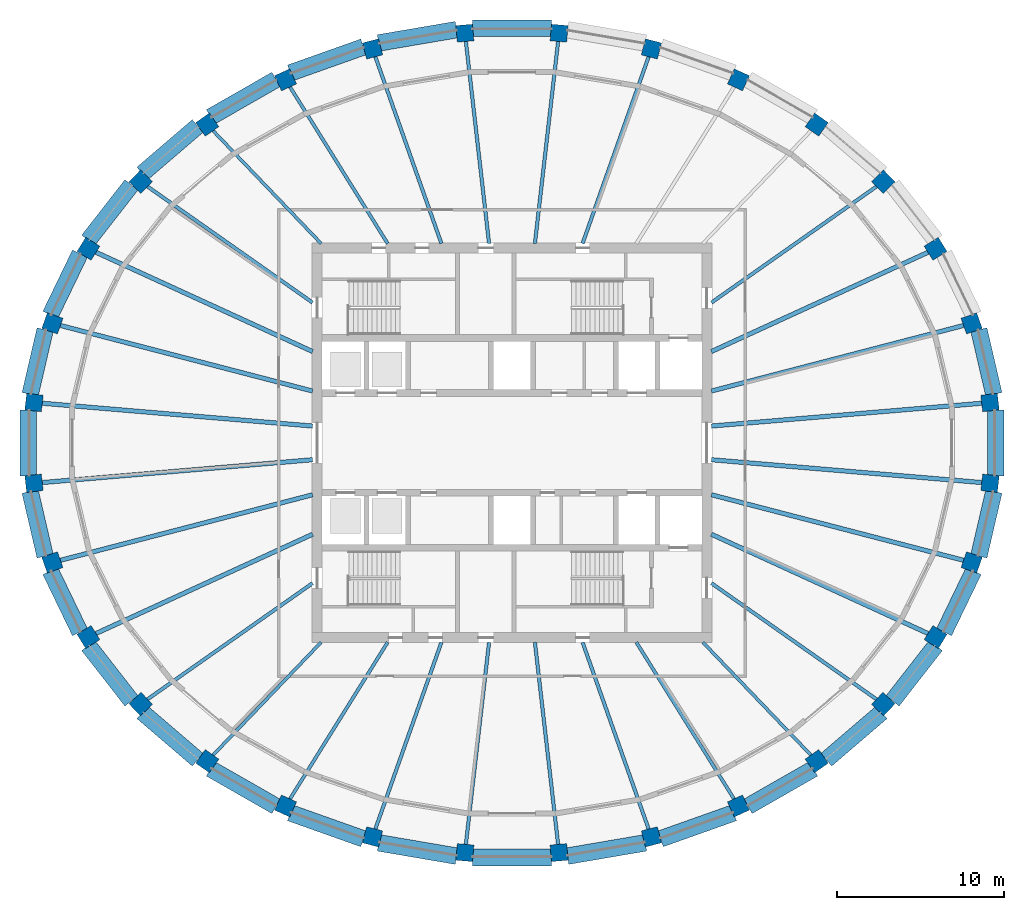
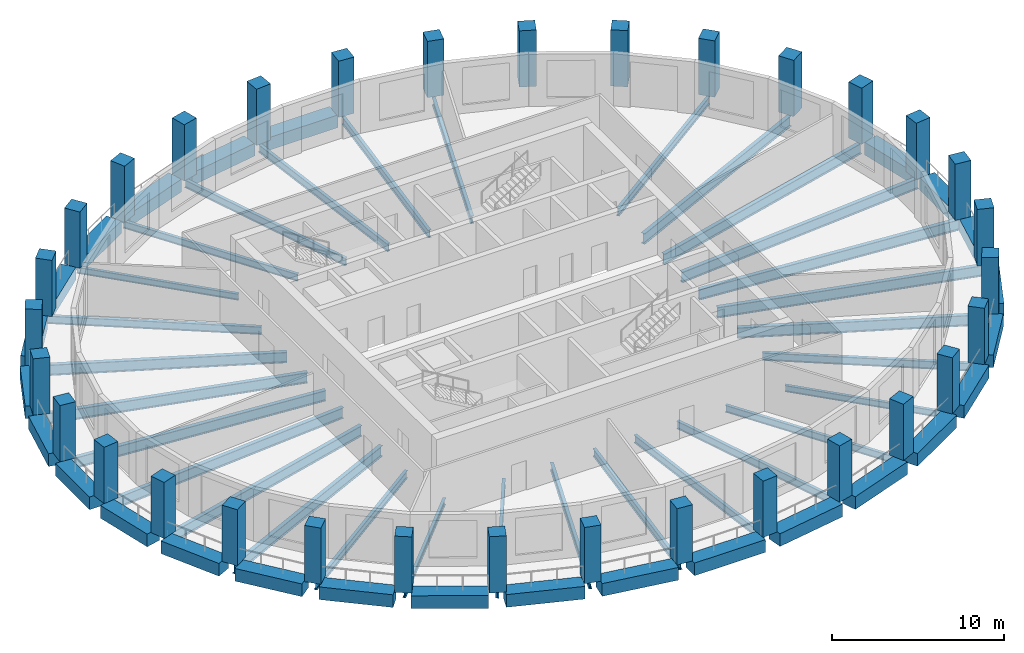
# One storey, part 1 of 10: 56 beams, 32 columns.
"""IFC4 building model written with IfcOpenShell, lengths in metres."""

from ifc_helpers import new_model, si_unit, direction, frame, origin, origin_2d, place, context, subcontext, project, spatial, rectangle, i_section, extrude, material, material_profile, profile_set, type_object, element, save


model = new_model("IFC4")

# Units and contexts
model_context = context("Model", 3, precision=1e-05, world=origin(), true_north=direction((0.0, 1.0)))
body_context = subcontext(model_context, "Body", "Model", "MODEL_VIEW")
ifc_project = project(units=[si_unit("LENGTHUNIT", "METRE"), si_unit("AREAUNIT", "SQUARE_METRE"), si_unit("VOLUMEUNIT", "CUBIC_METRE"), si_unit("PLANEANGLEUNIT", "RADIAN"), si_unit("MASSUNIT", "GRAM", prefix="KILO")], contexts=[model_context])

# Site, building, storey
site_placement = place(None, origin())
site = spatial("IfcSite", under=ifc_project, at=site_placement, CompositionType="ELEMENT")
building_placement = place(site_placement, origin())
building = spatial("IfcBuilding", under=site, at=building_placement, Name="Halqa Exchange Tower", CompositionType="ELEMENT")
storey_placement = place(building_placement, frame((0.0, 0.0, 300.300048828125)))
storey = spatial("IfcBuildingStorey", under=building, at=storey_placement, Name="L70", CompositionType="ELEMENT", Elevation=300.300048828125)

# Columns
ifc_material_1 = material(Name="Concrete C50/60", Category="concrete")
ifc_material_profile_1 = material_profile(ifc_material_1, rectangle(XDim=1.0, YDim=1.0, at=origin_2d()), Name="1000 x 1000")
ifc_profile_set_1 = profile_set([ifc_material_profile_1], Name="Concrete C50/60")
column_type = type_object("IfcColumnType", Name="RC ring column 1000 x 1000 C50/60", PredefinedType="COLUMN", material=ifc_profile_set_1)
for number, where, z_axis, x_axis, name in (
    (1, (28.703125, 2.423095703125, 0.0), (0.0, 0.0, 1.0), (-0.114149986297, 0.993463527578, 0.0), "Ring column 1"),
    (2, (27.60009765625, 7.176513671875, 0.0), (0.0, 0.0, 1.0), (-0.333622588243, 0.942706724604, 0.0), "Ring column 2"),
    (3, (25.4365234375, 11.65380859375, 0.0), (0.0, 0.0, 1.0), (-0.529150863019, 0.848527762755, 0.0), "Ring column 3"),
    (4, (22.295166015625, 15.683349609375, 0.0), (0.0, 0.0, 1.0), (-0.69158113391, 0.722298785282, 0.0), "Ring column 4"),
    (5, (18.297119140625, 19.110107421875, 0.0), (0.0, 0.0, 1.0), (-0.81790376713, 0.575355044919, 0.0), "Ring column 5"),
    (6, (13.59619140625, 21.802734375, 0.0), (0.0, 0.0, 1.0), (-0.909126368869, 0.416520402174, 0.0), "Ring column 6"),
    (7, (8.372314453125, 23.6572265625, 0.0), (0.0, 0.0, 1.0), (-0.967819503571, 0.251645402317, 0.0), "Ring column 7"),
    (8, (2.826904296875, 24.602783203125, 0.0), (0.0, 0.0, 1.0), (-0.996455225341, 0.084124811391, 0.0), "Ring column 8"),
    (9, (-2.826904296875, 24.602783203125, 0.0), (0.0, 0.0, 1.0), (-0.996455225341, -0.084124811391, 0.0), "Ring column 9"),
    (10, (-8.372314453125, 23.6572265625, 0.0), (0.0, 0.0, 1.0), (-0.967819503571, -0.251645402317, 0.0), "Ring column 10"),
    (11, (-13.59619140625, 21.802734375, 0.0), (0.0, 0.0, 1.0), (-0.909126368869, -0.416520402174, 0.0), "Ring column 11"),
    (12, (-18.297119140625, 19.110107421875, 0.0), (0.0, 0.0, 1.0), (-0.81790376713, -0.575355044919, 0.0), "Ring column 12"),
    (13, (-22.295166015625, 15.683349609375, 0.0), (0.0, 0.0, 1.0), (-0.69158113391, -0.722298785282, 0.0), "Ring column 13"),
    (14, (-25.4365234375, 11.65380859375, 0.0), (0.0, 0.0, 1.0), (-0.529150863019, -0.848527762755, 0.0), "Ring column 14"),
    (15, (-27.60009765625, 7.176513671875, 0.0), (0.0, 0.0, 1.0), (-0.333622588243, -0.942706724604, 0.0), "Ring column 15"),
    (16, (-28.703125, 2.423095703125, 0.0), (0.0, 0.0, 1.0), (-0.114149986297, -0.993463527578, 0.0), "Ring column 16"),
    (17, (-28.703125, -2.423095703125, 0.0), (0.0, 0.0, 1.0), (0.114149986297, -0.993463527578, 0.0), "Ring column 17"),
    (18, (-27.60009765625, -7.176513671875, 0.0), (0.0, 0.0, 1.0), (0.333622588243, -0.942706724604, 0.0), "Ring column 18"),
    (19, (-25.4365234375, -11.65380859375, 0.0), (0.0, 0.0, 1.0), (0.529150863019, -0.848527762755, 0.0), "Ring column 19"),
    (20, (-22.295166015625, -15.683349609375, 0.0), (0.0, 0.0, 1.0), (0.69158113391, -0.722298785282, 0.0), "Ring column 20"),
    (21, (-18.297119140625, -19.110107421875, 0.0), (0.0, 0.0, 1.0), (0.81790376713, -0.575355044919, 0.0), "Ring column 21"),
    (22, (-13.59619140625, -21.802734375, 0.0), (0.0, 0.0, 1.0), (0.909126368869, -0.416520402174, 0.0), "Ring column 22"),
    (23, (-8.372314453125, -23.6572265625, 0.0), (0.0, 0.0, 1.0), (0.967819503571, -0.251645402317, 0.0), "Ring column 23"),
    (24, (-2.826904296875, -24.602783203125, 0.0), (0.0, 0.0, 1.0), (0.996455225341, -0.084124811391, 0.0), "Ring column 24"),
    (25, (2.826904296875, -24.602783203125, 0.0), (0.0, 0.0, 1.0), (0.996455225341, 0.084124811391, 0.0), "Ring column 25"),
    (26, (8.372314453125, -23.6572265625, 0.0), (0.0, 0.0, 1.0), (0.967819503571, 0.251645402317, 0.0), "Ring column 26"),
    (27, (13.59619140625, -21.802734375, 0.0), (0.0, 0.0, 1.0), (0.909126368869, 0.416520402174, 0.0), "Ring column 27"),
    (28, (18.297119140625, -19.110107421875, 0.0), (0.0, 0.0, 1.0), (0.81790376713, 0.575355044919, 0.0), "Ring column 28"),
    (29, (22.295166015625, -15.683349609375, 0.0), (0.0, 0.0, 1.0), (0.69158113391, 0.722298785282, 0.0), "Ring column 29"),
    (30, (25.4365234375, -11.65380859375, 0.0), (0.0, 0.0, 1.0), (0.529150863019, 0.848527762755, 0.0), "Ring column 30"),
    (31, (27.60009765625, -7.176513671875, 0.0), (0.0, 0.0, 1.0), (0.333622588243, 0.942706724604, 0.0), "Ring column 31"),
    (32, (28.703125, -2.423095703125, 0.0), (0.0, 0.0, 1.0), (0.114149986297, 0.993463527578, 0.0), "Ring column 32"),
):
    element("IfcColumn", number, at=place(storey_placement, frame(where, z_axis=z_axis, x_axis=x_axis)), inside=storey, type_object=column_type, Name=name, PredefinedType="COLUMN", context=body_context, shape_type="SweptSolid", body=[
        extrude(rectangle(XDim=1.0, YDim=1.0, at=origin_2d()), origin(), (0.0, 0.0, 1.0), 4.0),
    ])

# Beams
ifc_material_2 = material(Name="Steel S355", Category="steel")
ifc_material_profile_2 = material_profile(ifc_material_2, i_section(OverallWidth=0.18994140625, OverallDepth=0.449951171875, WebThickness=0.009521484375, FlangeThickness=0.0146484375, FilletRadius=0.02099609375, at=origin_2d()), Name="IPE 450")
ifc_profile_set_2 = profile_set([ifc_material_profile_2], Name="Steel S355")
beam_type_1 = type_object("IfcBeamType", Name="Floor beam IPE 450", PredefinedType="BEAM", material=ifc_profile_set_2)
for number, where, z_axis, x_axis, name in (
    (33, (-11.462890625, 11.97216796875, -0.525146484375), (-0.691588333375, 0.722291891924, 0.0), (-0.722291891924, -0.691588333375, 0.0), "Radial beam 12"),
    (34, (-11.462890625, -11.97216796875, -0.525146484375), (-0.691588333375, -0.722291891924, 0.0), (0.722291891924, -0.691588333375, 0.0), "Radial beam 21"),
    (35, (11.462890625, -11.97216796875, -0.525146484375), (0.691588333375, -0.722291891924, 0.0), (0.722291891924, 0.691588333375, 0.0), "Radial beam 28"),
):
    element("IfcBeam", number, at=place(storey_placement, frame(where, z_axis=z_axis, x_axis=x_axis)), inside=storey, type_object=beam_type_1, Name=name, PredefinedType="BEAM", context=body_context, shape_type="SweptSolid", body=[
        extrude(i_section(OverallWidth=0.18994140625, OverallDepth=0.449951171875, WebThickness=0.009521484375, FlangeThickness=0.0146484375, FilletRadius=0.02099609375, at=origin_2d()), origin(), (0.0, 0.0, 1.0), 9.820068359375),
    ])
ifc_material_profile_3 = material_profile(ifc_material_2, i_section(OverallWidth=0.199951171875, OverallDepth=0.5, WebThickness=0.01025390625, FlangeThickness=0.01611328125, FilletRadius=0.02099609375, at=origin_2d()), Name="IPE 500")
ifc_profile_set_3 = profile_set([ifc_material_profile_3], Name="Steel S355")
beam_type_2 = type_object("IfcBeamType", Name="Floor beam IPE 500", PredefinedType="BEAM", material=ifc_profile_set_3)
for number, where, z_axis, x_axis, name in (
    (36, (-7.4658203125, 11.97216796875, -0.550048828125), (-0.529140986863, 0.84853392155, 0.0), (-0.84853392155, -0.529140986863, 0.0), "Radial beam 11"),
    (37, (-7.4658203125, -11.97216796875, -0.550048828125), (-0.529140986863, -0.84853392155, 0.0), (0.84853392155, -0.529140986863, 0.0), "Radial beam 22"),
    (38, (7.4658203125, -11.97216796875, -0.550048828125), (0.529140986863, -0.84853392155, 0.0), (0.84853392155, 0.529140986863, 0.0), "Radial beam 27"),
):
    element("IfcBeam", number, at=place(storey_placement, frame(where, z_axis=z_axis, x_axis=x_axis)), inside=storey, type_object=beam_type_2, Name=name, PredefinedType="BEAM", context=body_context, shape_type="SweptSolid", body=[
        extrude(i_section(OverallWidth=0.199951171875, OverallDepth=0.5, WebThickness=0.01025390625, FlangeThickness=0.01611328125, FilletRadius=0.02099609375, at=origin_2d()), origin(), (0.0, 0.0, 1.0), 11.513916015625),
    ])
ifc_material_profile_4 = material_profile(ifc_material_2, i_section(OverallWidth=0.2099609375, OverallDepth=0.550048828125, WebThickness=0.010986328125, FlangeThickness=0.01708984375, FilletRadius=0.02392578125, at=origin_2d()), Name="IPE 550")
ifc_profile_set_4 = profile_set([ifc_material_profile_4], Name="Steel S355")
beam_type_3 = type_object("IfcBeamType", Name="Floor beam IPE 550", PredefinedType="BEAM", material=ifc_profile_set_4)
beam_1_placement = place(storey_placement, frame((11.97265625, 8.422119140625, -0.574951171875), z_axis=(0.817911036207, 0.575344711326, 0.0), x_axis=(-0.575344711326, 0.817911036207, 0.0)))
element("IfcBeam", 39, at=beam_1_placement, inside=storey, type_object=beam_type_3, Name="Radial beam 4", PredefinedType="BEAM", context=body_context, shape_type="SweptSolid", body=[
    extrude(i_section(OverallWidth=0.2099609375, OverallDepth=0.550048828125, WebThickness=0.010986328125, FlangeThickness=0.01708984375, FilletRadius=0.02392578125, at=origin_2d()), origin(), (0.0, 0.0, 1.0), 12.568115234375),
])
beam_2_placement = place(storey_placement, frame((4.23681640625, 11.971923828125, -0.574951171875), z_axis=(0.333635823511, 0.942702040557, 0.0), x_axis=(-0.942702040557, 0.333635823511, 0.0)))
element("IfcBeam", 40, at=beam_2_placement, inside=storey, type_object=beam_type_3, Name="Radial beam 7", PredefinedType="BEAM", context=body_context, shape_type="SweptSolid", body=[
    extrude(i_section(OverallWidth=0.2099609375, OverallDepth=0.550048828125, WebThickness=0.010986328125, FlangeThickness=0.01708984375, FilletRadius=0.02392578125, at=origin_2d()), origin(), (0.0, 0.0, 1.0), 12.319091796875),
])
for number, where, z_axis, x_axis, name in (
    (41, (1.375732421875, 11.9716796875, -0.574951171875), (0.114150341895, 0.99346348672, 0.0), (-0.99346348672, 0.114150341895, 0.0), "Radial beam 8"),
    (42, (-1.375732421875, 11.9716796875, -0.574951171875), (-0.114150341895, 0.99346348672, 0.0), (-0.99346348672, -0.114150341895, 0.0), "Radial beam 9"),
):
    element("IfcBeam", number, at=place(storey_placement, frame(where, z_axis=z_axis, x_axis=x_axis)), inside=storey, type_object=beam_type_3, Name=name, PredefinedType="BEAM", context=body_context, shape_type="SweptSolid", body=[
        extrude(i_section(OverallWidth=0.2099609375, OverallDepth=0.550048828125, WebThickness=0.010986328125, FlangeThickness=0.01708984375, FilletRadius=0.02392578125, at=origin_2d()), origin(), (0.0, 0.0, 1.0), 12.6357421875),
    ])
beam_3_placement = place(storey_placement, frame((-4.23681640625, 11.971923828125, -0.574951171875), z_axis=(-0.333635823511, 0.942702040557, 0.0), x_axis=(-0.942702040557, -0.333635823511, 0.0)))
element("IfcBeam", 43, at=beam_3_placement, inside=storey, type_object=beam_type_3, Name="Radial beam 10", PredefinedType="BEAM", context=body_context, shape_type="SweptSolid", body=[
    extrude(i_section(OverallWidth=0.2099609375, OverallDepth=0.550048828125, WebThickness=0.010986328125, FlangeThickness=0.01708984375, FilletRadius=0.02392578125, at=origin_2d()), origin(), (0.0, 0.0, 1.0), 12.319091796875),
])
for number, where, z_axis, x_axis, name in (
    (44, (-11.97265625, 8.422119140625, -0.574951171875), (-0.817911036207, 0.575344711326, 0.0), (-0.575344711326, -0.817911036207, 0.0), "Radial beam 13"),
    (45, (-11.97265625, -8.422119140625, -0.574951171875), (-0.817911036207, -0.575344711326, 0.0), (0.575344711326, -0.817911036207, 0.0), "Radial beam 20"),
):
    element("IfcBeam", number, at=place(storey_placement, frame(where, z_axis=z_axis, x_axis=x_axis)), inside=storey, type_object=beam_type_3, Name=name, PredefinedType="BEAM", context=body_context, shape_type="SweptSolid", body=[
        extrude(i_section(OverallWidth=0.2099609375, OverallDepth=0.550048828125, WebThickness=0.010986328125, FlangeThickness=0.01708984375, FilletRadius=0.02392578125, at=origin_2d()), origin(), (0.0, 0.0, 1.0), 12.568115234375),
    ])
beam_4_placement = place(storey_placement, frame((-4.23681640625, -11.971923828125, -0.574951171875), z_axis=(-0.333635823511, -0.942702040557, 0.0), x_axis=(0.942702040557, -0.333635823511, 0.0)))
element("IfcBeam", 46, at=beam_4_placement, inside=storey, type_object=beam_type_3, Name="Radial beam 23", PredefinedType="BEAM", context=body_context, shape_type="SweptSolid", body=[
    extrude(i_section(OverallWidth=0.2099609375, OverallDepth=0.550048828125, WebThickness=0.010986328125, FlangeThickness=0.01708984375, FilletRadius=0.02392578125, at=origin_2d()), origin(), (0.0, 0.0, 1.0), 12.319091796875),
])
for number, where, z_axis, x_axis, name in (
    (47, (-1.375732421875, -11.9716796875, -0.574951171875), (-0.114150341895, -0.99346348672, 0.0), (0.99346348672, -0.114150341895, 0.0), "Radial beam 24"),
    (48, (1.375732421875, -11.9716796875, -0.574951171875), (0.114150341895, -0.99346348672, 0.0), (0.99346348672, 0.114150341895, 0.0), "Radial beam 25"),
):
    element("IfcBeam", number, at=place(storey_placement, frame(where, z_axis=z_axis, x_axis=x_axis)), inside=storey, type_object=beam_type_3, Name=name, PredefinedType="BEAM", context=body_context, shape_type="SweptSolid", body=[
        extrude(i_section(OverallWidth=0.2099609375, OverallDepth=0.550048828125, WebThickness=0.010986328125, FlangeThickness=0.01708984375, FilletRadius=0.02392578125, at=origin_2d()), origin(), (0.0, 0.0, 1.0), 12.6357421875),
    ])
beam_5_placement = place(storey_placement, frame((4.23681640625, -11.971923828125, -0.574951171875), z_axis=(0.333635823511, -0.942702040557, 0.0), x_axis=(0.942702040557, 0.333635823511, 0.0)))
element("IfcBeam", 49, at=beam_5_placement, inside=storey, type_object=beam_type_3, Name="Radial beam 26", PredefinedType="BEAM", context=body_context, shape_type="SweptSolid", body=[
    extrude(i_section(OverallWidth=0.2099609375, OverallDepth=0.550048828125, WebThickness=0.010986328125, FlangeThickness=0.01708984375, FilletRadius=0.02392578125, at=origin_2d()), origin(), (0.0, 0.0, 1.0), 12.319091796875),
])
beam_6_placement = place(storey_placement, frame((11.97265625, -8.422119140625, -0.574951171875), z_axis=(0.817911036207, -0.575344711326, 0.0), x_axis=(0.575344711326, 0.817911036207, 0.0)))
element("IfcBeam", 50, at=beam_6_placement, inside=storey, type_object=beam_type_3, Name="Radial beam 29", PredefinedType="BEAM", context=body_context, shape_type="SweptSolid", body=[
    extrude(i_section(OverallWidth=0.2099609375, OverallDepth=0.550048828125, WebThickness=0.010986328125, FlangeThickness=0.01708984375, FilletRadius=0.02392578125, at=origin_2d()), origin(), (0.0, 0.0, 1.0), 12.568115234375),
])
ifc_material_profile_5 = material_profile(ifc_material_2, i_section(OverallWidth=0.264892578125, OverallDepth=0.7529296875, WebThickness=0.01318359375, FlangeThickness=0.01708984375, FilletRadius=0.01708984375, at=origin_2d()), Name="IPE 750x147")
ifc_profile_set_5 = profile_set([ifc_material_profile_5], Name="Steel S355")
beam_type_4 = type_object("IfcBeamType", Name="Floor beam IPE 750x147", PredefinedType="BEAM", material=ifc_profile_set_5)
beam_7_placement = place(storey_placement, frame((11.972900390625, 1.0107421875, -0.676513671875), z_axis=(0.996455157538, 0.084125614508, 0.0), x_axis=(-0.084125614508, 0.996455157538, 0.0)))
element("IfcBeam", 51, at=beam_7_placement, inside=storey, type_object=beam_type_4, Name="Radial beam 1", PredefinedType="BEAM", context=body_context, shape_type="SweptSolid", body=[
    extrude(i_section(OverallWidth=0.264892578125, OverallDepth=0.7529296875, WebThickness=0.01318359375, FlangeThickness=0.01708984375, FilletRadius=0.01708984375, at=origin_2d()), origin(), (0.0, 0.0, 1.0), 16.759521484375),
])
beam_8_placement = place(storey_placement, frame((11.97265625, 3.113037109375, -0.676513671875), z_axis=(0.967817635261, 0.251652587662, 0.0), x_axis=(-0.251652587662, 0.967817635261, 0.0)))
element("IfcBeam", 52, at=beam_8_placement, inside=storey, type_object=beam_type_4, Name="Radial beam 2", PredefinedType="BEAM", context=body_context, shape_type="SweptSolid", body=[
    extrude(i_section(OverallWidth=0.264892578125, OverallDepth=0.7529296875, WebThickness=0.01318359375, FlangeThickness=0.01708984375, FilletRadius=0.01708984375, at=origin_2d()), origin(), (0.0, 0.0, 1.0), 16.111328125),
])
for number, where, z_axis, x_axis, name in (
    (53, (11.972412109375, 5.485107421875, -0.676513671875), (0.909124046838, 0.416525470363, 0.0), (-0.416525470363, 0.909124046838, 0.0), "Radial beam 3"),
    (54, (-11.972412109375, 5.485107421875, -0.676513671875), (-0.909124046838, 0.416525470363, 0.0), (-0.416525470363, -0.909124046838, 0.0), "Radial beam 14"),
):
    element("IfcBeam", number, at=place(storey_placement, frame(where, z_axis=z_axis, x_axis=x_axis)), inside=storey, type_object=beam_type_4, Name=name, PredefinedType="BEAM", context=body_context, shape_type="SweptSolid", body=[
        extrude(i_section(OverallWidth=0.264892578125, OverallDepth=0.7529296875, WebThickness=0.01318359375, FlangeThickness=0.01708984375, FilletRadius=0.01708984375, at=origin_2d()), origin(), (0.0, 0.0, 1.0), 14.765869140625),
    ])
beam_9_placement = place(storey_placement, frame((-11.97265625, 3.113037109375, -0.676513671875), z_axis=(-0.967817635261, 0.251652587662, 0.0), x_axis=(-0.251652587662, -0.967817635261, 0.0)))
element("IfcBeam", 55, at=beam_9_placement, inside=storey, type_object=beam_type_4, Name="Radial beam 15", PredefinedType="BEAM", context=body_context, shape_type="SweptSolid", body=[
    extrude(i_section(OverallWidth=0.264892578125, OverallDepth=0.7529296875, WebThickness=0.01318359375, FlangeThickness=0.01708984375, FilletRadius=0.01708984375, at=origin_2d()), origin(), (0.0, 0.0, 1.0), 16.111328125),
])
for number, where, z_axis, x_axis, name in (
    (56, (-11.972900390625, 1.0107421875, -0.676513671875), (-0.996455157538, 0.084125614508, 0.0), (-0.084125614508, -0.996455157538, 0.0), "Radial beam 16"),
    (57, (-11.972900390625, -1.0107421875, -0.676513671875), (-0.996455157538, -0.084125614508, 0.0), (0.084125614508, -0.996455157538, 0.0), "Radial beam 17"),
):
    element("IfcBeam", number, at=place(storey_placement, frame(where, z_axis=z_axis, x_axis=x_axis)), inside=storey, type_object=beam_type_4, Name=name, PredefinedType="BEAM", context=body_context, shape_type="SweptSolid", body=[
        extrude(i_section(OverallWidth=0.264892578125, OverallDepth=0.7529296875, WebThickness=0.01318359375, FlangeThickness=0.01708984375, FilletRadius=0.01708984375, at=origin_2d()), origin(), (0.0, 0.0, 1.0), 16.759521484375),
    ])
beam_10_placement = place(storey_placement, frame((-11.97265625, -3.113037109375, -0.676513671875), z_axis=(-0.967817635261, -0.251652587662, 0.0), x_axis=(0.251652587662, -0.967817635261, 0.0)))
element("IfcBeam", 58, at=beam_10_placement, inside=storey, type_object=beam_type_4, Name="Radial beam 18", PredefinedType="BEAM", context=body_context, shape_type="SweptSolid", body=[
    extrude(i_section(OverallWidth=0.264892578125, OverallDepth=0.7529296875, WebThickness=0.01318359375, FlangeThickness=0.01708984375, FilletRadius=0.01708984375, at=origin_2d()), origin(), (0.0, 0.0, 1.0), 16.111328125),
])
for number, where, z_axis, x_axis, name in (
    (59, (-11.972412109375, -5.485107421875, -0.676513671875), (-0.909124046838, -0.416525470363, 0.0), (0.416525470363, -0.909124046838, 0.0), "Radial beam 19"),
    (60, (11.972412109375, -5.485107421875, -0.676513671875), (0.909124046838, -0.416525470363, 0.0), (0.416525470363, 0.909124046838, 0.0), "Radial beam 30"),
):
    element("IfcBeam", number, at=place(storey_placement, frame(where, z_axis=z_axis, x_axis=x_axis)), inside=storey, type_object=beam_type_4, Name=name, PredefinedType="BEAM", context=body_context, shape_type="SweptSolid", body=[
        extrude(i_section(OverallWidth=0.264892578125, OverallDepth=0.7529296875, WebThickness=0.01318359375, FlangeThickness=0.01708984375, FilletRadius=0.01708984375, at=origin_2d()), origin(), (0.0, 0.0, 1.0), 14.765869140625),
    ])
beam_11_placement = place(storey_placement, frame((11.97265625, -3.113037109375, -0.676513671875), z_axis=(0.967817635261, -0.251652587662, 0.0), x_axis=(0.251652587662, 0.967817635261, 0.0)))
element("IfcBeam", 61, at=beam_11_placement, inside=storey, type_object=beam_type_4, Name="Radial beam 31", PredefinedType="BEAM", context=body_context, shape_type="SweptSolid", body=[
    extrude(i_section(OverallWidth=0.264892578125, OverallDepth=0.7529296875, WebThickness=0.01318359375, FlangeThickness=0.01708984375, FilletRadius=0.01708984375, at=origin_2d()), origin(), (0.0, 0.0, 1.0), 16.111328125),
])
beam_12_placement = place(storey_placement, frame((11.972900390625, -1.0107421875, -0.676513671875), z_axis=(0.996455157538, -0.084125614508, 0.0), x_axis=(0.084125614508, 0.996455157538, 0.0)))
element("IfcBeam", 62, at=beam_12_placement, inside=storey, type_object=beam_type_4, Name="Radial beam 32", PredefinedType="BEAM", context=body_context, shape_type="SweptSolid", body=[
    extrude(i_section(OverallWidth=0.264892578125, OverallDepth=0.7529296875, WebThickness=0.01318359375, FlangeThickness=0.01708984375, FilletRadius=0.01708984375, at=origin_2d()), origin(), (0.0, 0.0, 1.0), 16.759521484375),
])
ifc_material_3 = material(Name="Concrete C60/75", Category="concrete")
ifc_material_profile_6 = material_profile(ifc_material_3, rectangle(XDim=1.0, YDim=0.89990234375, at=origin_2d()), Name="1000 x 900")
ifc_profile_set_6 = profile_set([ifc_material_profile_6], Name="Concrete C60/75")
beam_type_5 = type_object("IfcBeamType", Name="RC spandrel beam 1000 x 900 C60/75", PredefinedType="SPANDREL", material=ifc_profile_set_6)
beam_13_placement = place(storey_placement, frame((28.936279296875, 2.91455078125, -0.449951171875), z_axis=(-0.226066435944, 0.974111886048, 0.0), x_axis=(-0.974111886048, -0.226066435944, 0.0)))
element("IfcBeam", 63, at=beam_13_placement, inside=storey, type_object=beam_type_5, Name="Spandrel 1", PredefinedType="SPANDREL", context=body_context, shape_type="SweptSolid", body=[
    extrude(rectangle(XDim=1.0, YDim=0.89990234375, at=origin_2d()), origin(), (0.0, 0.0, 1.0), 3.98828125),
])
beam_14_placement = place(storey_placement, frame((2.38671875, 24.89453125, -0.449951171875), z_axis=(-1.0, 0.0, 0.0), x_axis=(0.0, -1.0, 0.0)))
element("IfcBeam", 64, at=beam_14_placement, inside=storey, type_object=beam_type_5, Name="Spandrel 8", PredefinedType="SPANDREL", context=body_context, shape_type="SweptSolid", body=[
    extrude(rectangle(XDim=1.0, YDim=0.89990234375, at=origin_2d()), origin(), (0.0, 0.0, 1.0), 4.7734375),
])
beam_15_placement = place(storey_placement, frame((-3.327880859375, 24.814697265625, -0.449951171875), z_axis=(-0.985779293953, -0.168045183248, 0.0), x_axis=(0.168045183248, -0.985779293953, 0.0)))
element("IfcBeam", 65, at=beam_15_placement, inside=storey, type_object=beam_type_5, Name="Spandrel 9", PredefinedType="SPANDREL", context=body_context, shape_type="SweptSolid", body=[
    extrude(rectangle(XDim=1.0, YDim=0.89990234375, at=origin_2d()), origin(), (0.0, 0.0, 1.0), 4.743408203125),
])
beam_16_placement = place(storey_placement, frame((-8.91748046875, 23.779541015625, -0.449951171875), z_axis=(-0.942367036973, -0.334580883535, 0.0), x_axis=(0.334580883535, -0.942367036973, 0.0)))
element("IfcBeam", 66, at=beam_16_placement, inside=storey, type_object=beam_type_5, Name="Spandrel 10", PredefinedType="SPANDREL", context=body_context, shape_type="SweptSolid", body=[
    extrude(rectangle(XDim=1.0, YDim=0.89990234375, at=origin_2d()), origin(), (0.0, 0.0, 1.0), 4.662109375),
])
beam_17_placement = place(storey_placement, frame((-14.169189453125, 21.825439453125, -0.449951171875), z_axis=(-0.867765502357, -0.496973875489, 0.0), x_axis=(0.496973875489, -0.867765502357, 0.0)))
element("IfcBeam", 67, at=beam_17_placement, inside=storey, type_object=beam_type_5, Name="Spandrel 11", PredefinedType="SPANDREL", context=body_context, shape_type="SweptSolid", body=[
    extrude(rectangle(XDim=1.0, YDim=0.89990234375, at=origin_2d()), origin(), (0.0, 0.0, 1.0), 4.533203125),
])
beam_18_placement = place(storey_placement, frame((-18.875, 19.02783203125, -0.449951171875), z_axis=(-0.759244795716, -0.650805147627, 0.0), x_axis=(0.650805147627, -0.759244795716, 0.0)))
element("IfcBeam", 68, at=beam_18_placement, inside=storey, type_object=beam_type_5, Name="Spandrel 12", PredefinedType="SPANDREL", context=body_context, shape_type="SweptSolid", body=[
    extrude(rectangle(XDim=1.0, YDim=0.89990234375, at=origin_2d()), origin(), (0.0, 0.0, 1.0), 4.37890625),
])
beam_19_placement = place(storey_placement, frame((-22.850830078125, 15.49560546875, -0.449951171875), z_axis=(-0.614849113514, -0.788644766426, 0.0), x_axis=(0.788644766426, -0.614849113514, 0.0)))
element("IfcBeam", 69, at=beam_19_placement, inside=storey, type_object=beam_type_5, Name="Spandrel 13", PredefinedType="SPANDREL", context=body_context, shape_type="SweptSolid", body=[
    extrude(rectangle(XDim=1.0, YDim=0.89990234375, at=origin_2d()), origin(), (0.0, 0.0, 1.0), 4.22119140625),
])
beam_20_placement = place(storey_placement, frame((-25.944580078125, 11.364990234375, -0.449951171875), z_axis=(-0.435091897701, -0.900386050844, 0.0), x_axis=(0.900386050844, -0.435091897701, 0.0)))
element("IfcBeam", 70, at=beam_20_placement, inside=storey, type_object=beam_type_5, Name="Spandrel 14", PredefinedType="SPANDREL", context=body_context, shape_type="SweptSolid", body=[
    extrude(rectangle(XDim=1.0, YDim=0.89990234375, at=origin_2d()), origin(), (0.0, 0.0, 1.0), 4.082275390625),
])
beam_21_placement = place(storey_placement, frame((-28.03466796875, 6.799560546875, -0.449951171875), z_axis=(-0.226066435944, -0.974111886048, 0.0), x_axis=(0.974111886048, -0.226066435944, 0.0)))
element("IfcBeam", 71, at=beam_21_placement, inside=storey, type_object=beam_type_5, Name="Spandrel 15", PredefinedType="SPANDREL", context=body_context, shape_type="SweptSolid", body=[
    extrude(rectangle(XDim=1.0, YDim=0.89990234375, at=origin_2d()), origin(), (0.0, 0.0, 1.0), 3.98828125),
])
beam_22_placement = place(storey_placement, frame((-29.043701171875, 1.9765625, -0.449951171875), z_axis=(0.0, -1.0, 0.0), x_axis=(1.0, 0.0, 0.0)))
element("IfcBeam", 72, at=beam_22_placement, inside=storey, type_object=beam_type_5, Name="Spandrel 16", PredefinedType="SPANDREL", context=body_context, shape_type="SweptSolid", body=[
    extrude(rectangle(XDim=1.0, YDim=0.89990234375, at=origin_2d()), origin(), (0.0, 0.0, 1.0), 3.953125),
])
beam_23_placement = place(storey_placement, frame((-28.936279296875, -2.91455078125, -0.449951171875), z_axis=(0.226066435944, -0.974111886048, 0.0), x_axis=(0.974111886048, 0.226066435944, 0.0)))
element("IfcBeam", 73, at=beam_23_placement, inside=storey, type_object=beam_type_5, Name="Spandrel 17", PredefinedType="SPANDREL", context=body_context, shape_type="SweptSolid", body=[
    extrude(rectangle(XDim=1.0, YDim=0.89990234375, at=origin_2d()), origin(), (0.0, 0.0, 1.0), 3.98828125),
])
beam_24_placement = place(storey_placement, frame((-27.720703125, -7.689453125, -0.449951171875), z_axis=(0.435091897701, -0.900386050844, 0.0), x_axis=(0.900386050844, 0.435091897701, 0.0)))
element("IfcBeam", 74, at=beam_24_placement, inside=storey, type_object=beam_type_5, Name="Spandrel 18", PredefinedType="SPANDREL", context=body_context, shape_type="SweptSolid", body=[
    extrude(rectangle(XDim=1.0, YDim=0.89990234375, at=origin_2d()), origin(), (0.0, 0.0, 1.0), 4.082275390625),
])
beam_25_placement = place(storey_placement, frame((-25.4462890625, -12.16650390625, -0.449951171875), z_axis=(0.614849113514, -0.788644766426, 0.0), x_axis=(0.788644766426, 0.614849113514, 0.0)))
element("IfcBeam", 75, at=beam_25_placement, inside=storey, type_object=beam_type_5, Name="Spandrel 19", PredefinedType="SPANDREL", context=body_context, shape_type="SweptSolid", body=[
    extrude(rectangle(XDim=1.0, YDim=0.89990234375, at=origin_2d()), origin(), (0.0, 0.0, 1.0), 4.22119140625),
])
beam_26_placement = place(storey_placement, frame((-22.19970703125, -16.177978515625, -0.449951171875), z_axis=(0.759244795716, -0.650805147627, 0.0), x_axis=(0.650805147627, 0.759244795716, 0.0)))
element("IfcBeam", 76, at=beam_26_placement, inside=storey, type_object=beam_type_5, Name="Spandrel 20", PredefinedType="SPANDREL", context=body_context, shape_type="SweptSolid", body=[
    extrude(rectangle(XDim=1.0, YDim=0.89990234375, at=origin_2d()), origin(), (0.0, 0.0, 1.0), 4.37890625),
])
beam_27_placement = place(storey_placement, frame((-18.10302734375, -19.572509765625, -0.449951171875), z_axis=(0.867765502357, -0.496973875489, 0.0), x_axis=(0.496973875489, 0.867765502357, 0.0)))
element("IfcBeam", 77, at=beam_27_placement, inside=storey, type_object=beam_type_5, Name="Spandrel 21", PredefinedType="SPANDREL", context=body_context, shape_type="SweptSolid", body=[
    extrude(rectangle(XDim=1.0, YDim=0.89990234375, at=origin_2d()), origin(), (0.0, 0.0, 1.0), 4.533203125),
])
beam_28_placement = place(storey_placement, frame((-13.310791015625, -22.2197265625, -0.449951171875), z_axis=(0.942367036973, -0.334580883535, 0.0), x_axis=(0.334580883535, 0.942367036973, 0.0)))
element("IfcBeam", 78, at=beam_28_placement, inside=storey, type_object=beam_type_5, Name="Spandrel 22", PredefinedType="SPANDREL", context=body_context, shape_type="SweptSolid", body=[
    extrude(rectangle(XDim=1.0, YDim=0.89990234375, at=origin_2d()), origin(), (0.0, 0.0, 1.0), 4.662109375),
])
beam_29_placement = place(storey_placement, frame((-8.00390625, -24.017578125, -0.449951171875), z_axis=(0.985779293953, -0.168045183248, 0.0), x_axis=(0.168045183248, 0.985779293953, 0.0)))
element("IfcBeam", 79, at=beam_29_placement, inside=storey, type_object=beam_type_5, Name="Spandrel 23", PredefinedType="SPANDREL", context=body_context, shape_type="SweptSolid", body=[
    extrude(rectangle(XDim=1.0, YDim=0.89990234375, at=origin_2d()), origin(), (0.0, 0.0, 1.0), 4.743408203125),
])
beam_30_placement = place(storey_placement, frame((-2.38671875, -24.89453125, -0.449951171875), z_axis=(1.0, 0.0, 0.0), x_axis=(0.0, 1.0, 0.0)))
element("IfcBeam", 80, at=beam_30_placement, inside=storey, type_object=beam_type_5, Name="Spandrel 24", PredefinedType="SPANDREL", context=body_context, shape_type="SweptSolid", body=[
    extrude(rectangle(XDim=1.0, YDim=0.89990234375, at=origin_2d()), origin(), (0.0, 0.0, 1.0), 4.7734375),
])
beam_31_placement = place(storey_placement, frame((3.327880859375, -24.814697265625, -0.449951171875), z_axis=(0.985779293953, 0.168045183248, 0.0), x_axis=(-0.168045183248, 0.985779293953, 0.0)))
element("IfcBeam", 81, at=beam_31_placement, inside=storey, type_object=beam_type_5, Name="Spandrel 25", PredefinedType="SPANDREL", context=body_context, shape_type="SweptSolid", body=[
    extrude(rectangle(XDim=1.0, YDim=0.89990234375, at=origin_2d()), origin(), (0.0, 0.0, 1.0), 4.743408203125),
])
beam_32_placement = place(storey_placement, frame((8.91748046875, -23.779541015625, -0.449951171875), z_axis=(0.942367036973, 0.334580883535, 0.0), x_axis=(-0.334580883535, 0.942367036973, 0.0)))
element("IfcBeam", 82, at=beam_32_placement, inside=storey, type_object=beam_type_5, Name="Spandrel 26", PredefinedType="SPANDREL", context=body_context, shape_type="SweptSolid", body=[
    extrude(rectangle(XDim=1.0, YDim=0.89990234375, at=origin_2d()), origin(), (0.0, 0.0, 1.0), 4.662109375),
])
beam_33_placement = place(storey_placement, frame((14.169189453125, -21.825439453125, -0.449951171875), z_axis=(0.867765502357, 0.496973875489, 0.0), x_axis=(-0.496973875489, 0.867765502357, 0.0)))
element("IfcBeam", 83, at=beam_33_placement, inside=storey, type_object=beam_type_5, Name="Spandrel 27", PredefinedType="SPANDREL", context=body_context, shape_type="SweptSolid", body=[
    extrude(rectangle(XDim=1.0, YDim=0.89990234375, at=origin_2d()), origin(), (0.0, 0.0, 1.0), 4.533203125),
])
beam_34_placement = place(storey_placement, frame((18.875, -19.02783203125, -0.449951171875), z_axis=(0.759244795716, 0.650805147627, 0.0), x_axis=(-0.650805147627, 0.759244795716, 0.0)))
element("IfcBeam", 84, at=beam_34_placement, inside=storey, type_object=beam_type_5, Name="Spandrel 28", PredefinedType="SPANDREL", context=body_context, shape_type="SweptSolid", body=[
    extrude(rectangle(XDim=1.0, YDim=0.89990234375, at=origin_2d()), origin(), (0.0, 0.0, 1.0), 4.37890625),
])
beam_35_placement = place(storey_placement, frame((22.850830078125, -15.49560546875, -0.449951171875), z_axis=(0.614849113514, 0.788644766426, 0.0), x_axis=(-0.788644766426, 0.614849113514, 0.0)))
element("IfcBeam", 85, at=beam_35_placement, inside=storey, type_object=beam_type_5, Name="Spandrel 29", PredefinedType="SPANDREL", context=body_context, shape_type="SweptSolid", body=[
    extrude(rectangle(XDim=1.0, YDim=0.89990234375, at=origin_2d()), origin(), (0.0, 0.0, 1.0), 4.22119140625),
])
beam_36_placement = place(storey_placement, frame((25.944580078125, -11.364990234375, -0.449951171875), z_axis=(0.435091897701, 0.900386050844, 0.0), x_axis=(-0.900386050844, 0.435091897701, 0.0)))
element("IfcBeam", 86, at=beam_36_placement, inside=storey, type_object=beam_type_5, Name="Spandrel 30", PredefinedType="SPANDREL", context=body_context, shape_type="SweptSolid", body=[
    extrude(rectangle(XDim=1.0, YDim=0.89990234375, at=origin_2d()), origin(), (0.0, 0.0, 1.0), 4.082275390625),
])
beam_37_placement = place(storey_placement, frame((28.03466796875, -6.799560546875, -0.449951171875), z_axis=(0.226066435944, 0.974111886048, 0.0), x_axis=(-0.974111886048, 0.226066435944, 0.0)))
element("IfcBeam", 87, at=beam_37_placement, inside=storey, type_object=beam_type_5, Name="Spandrel 31", PredefinedType="SPANDREL", context=body_context, shape_type="SweptSolid", body=[
    extrude(rectangle(XDim=1.0, YDim=0.89990234375, at=origin_2d()), origin(), (0.0, 0.0, 1.0), 3.98828125),
])
beam_38_placement = place(storey_placement, frame((29.043701171875, -1.9765625, -0.449951171875), z_axis=(0.0, 1.0, 0.0), x_axis=(-1.0, 0.0, 0.0)))
element("IfcBeam", 88, at=beam_38_placement, inside=storey, type_object=beam_type_5, Name="Spandrel 32", PredefinedType="SPANDREL", context=body_context, shape_type="SweptSolid", body=[
    extrude(rectangle(XDim=1.0, YDim=0.89990234375, at=origin_2d()), origin(), (0.0, 0.0, 1.0), 3.953125),
])

save(model, "model.ifc")
